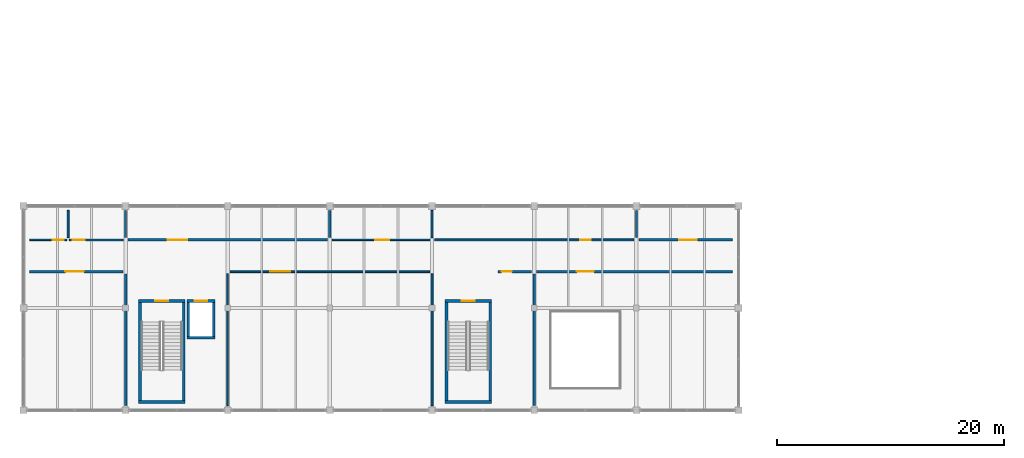
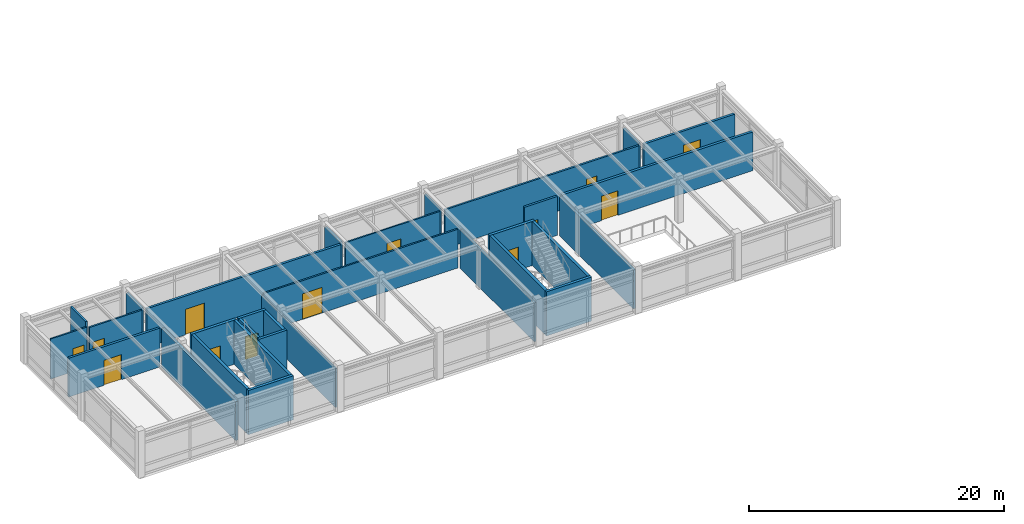
# One storey, part 27 of 33: 31 walls, 13 doors, 13 openings.
"""IFC4 building model written with IfcOpenShell, lengths in metres."""

from ifc_helpers import new_model, si_unit, direction, frame, frame_2d, origin, place, context, subcontext, project, spatial, rectangle, extrude, material, layer, layer_set, type_object, element, fill, save


model = new_model("IFC4")

# Units and contexts
model_context = context("Model", 3, precision=1e-05, world=origin(), true_north=direction((0.0, 1.0)))
body_context = subcontext(model_context, "Body", "Model", "MODEL_VIEW")
ifc_project = project(units=[si_unit("LENGTHUNIT", "METRE"), si_unit("AREAUNIT", "SQUARE_METRE"), si_unit("VOLUMEUNIT", "CUBIC_METRE"), si_unit("PLANEANGLEUNIT", "RADIAN"), si_unit("MASSUNIT", "GRAM", prefix="KILO")], contexts=[model_context])

# Site, building, storey
site_placement = place(None, origin())
site = spatial("IfcSite", under=ifc_project, at=site_placement, CompositionType="ELEMENT")
building_placement = place(site_placement, origin())
building = spatial("IfcBuilding", under=site, at=building_placement, Name="Bozkorgan Art Gallery", CompositionType="ELEMENT")
storey_placement = place(building_placement, frame((0.0, 0.0, 19.5)))
storey = spatial("IfcBuildingStorey", under=building, at=storey_placement, Name="L04", CompositionType="ELEMENT", Elevation=19.5)

# Wall, opening, door
ifc_material_1 = material(Name="Concrete C40/50", Category="concrete")
ifc_layer_1 = layer(ifc_material_1, 0.25, Name="Concrete C40/50")
ifc_layer_set_1 = layer_set([ifc_layer_1], Name="Concrete C40/50")
wall_type_1 = type_object("IfcWallType", Name="IWALL-CW-51", PredefinedType="SHEAR", material=ifc_layer_set_1)
wall_1_placement = place(storey_placement, frame((12.14990234375, 11.625, 0.0), z_axis=(0.0, 0.0, 1.0), x_axis=(1.0, 0.0, 0.0)))
wall_1 = element("IfcWall", 1, at=wall_1_placement, inside=storey, type_object=wall_type_1, Name="CORE1 L04 stair core north shear wall", PredefinedType="SHEAR", context=body_context, shape_type="SweptSolid", body=[
    extrude(rectangle(XDim=4.10009765625, YDim=0.25, at=frame_2d((2.050048828125, 0.0))), origin(), (0.0, 0.0, 1.0), 4.219970703125),
])
opening_1_placement = place(wall_1_placement, frame((2.625, 0.0, 0.0), z_axis=(0.0, 0.0, 1.0), x_axis=(-1.0, 0.0, 0.0)))
opening_1 = element("IfcOpeningElement", 2, at=opening_1_placement, cuts=wall_1, Name="Opening SD-41", PredefinedType="OPENING", context=body_context, shape_type="SweptSolid", body=[
    extrude(rectangle(XDim=1.14990234375, YDim=2.199951171875, at=frame_2d((0.574951171875, 1.10009765625))), frame((0.0, 0.135009765625, 0.0), z_axis=(0.0, -1.0, 0.0), x_axis=(1.0, 0.0, 0.0)), (0.0, 0.0, 1.0), 0.27001953125),
])
ifc_material_2 = material(Name="Steel S355J2", Category="steel")
door_type_1 = type_object("IfcDoorType", Name="IDOOR-SD-41", OperationType="NOTDEFINED", PredefinedType="DOOR", material=ifc_material_2)
door_1_placement = place(opening_1_placement, origin())
door_1 = element("IfcDoor", 3, at=door_1_placement, inside=storey, type_object=door_type_1, Name="ST1 L04 Fire Stair Door", OperationType="SINGLE_SWING_LEFT", OverallHeight=2.199951171875, OverallWidth=1.14990234375, PredefinedType="DOOR", context=body_context, shape_type="SweptSolid", body=[
    extrude(rectangle(XDim=1.14990234375, YDim=2.199951171875, at=frame_2d((0.574951171875, 1.10009765625))), frame((0.0, 0.02490234375, 0.0), z_axis=(0.0, -1.0, 0.0), x_axis=(1.0, 0.0, 0.0)), (0.0, 0.0, 1.0), 0.050048828125),
])
fill(opening_1, door_1)

# Walls
wall_2_placement = place(storey_placement, frame((12.14990234375, 2.72509765625, 0.0), z_axis=(0.0, 0.0, 1.0), x_axis=(1.0, 0.0, 0.0)))
element("IfcWall", 4, at=wall_2_placement, inside=storey, type_object=wall_type_1, Name="CORE1 L04 stair core S shear wall", PredefinedType="SHEAR", context=body_context, shape_type="SweptSolid", body=[
    extrude(rectangle(XDim=4.10009765625, YDim=0.25, at=frame_2d((2.050048828125, 0.0))), origin(), (0.0, 0.0, 1.0), 4.219970703125),
])
for number, where, z_axis, x_axis, name in (
    (5, (12.27490234375, 2.85009765625, 0.0), (0.0, 0.0, 1.0), (0.0, 1.0, 0.0), "CORE1 L04 stair core W shear wall"),
    (6, (16.125, 2.85009765625, 0.0), (0.0, 0.0, 1.0), (0.0, 1.0, 0.0), "CORE1 L04 stair core E shear wall"),
):
    element("IfcWall", number, at=place(storey_placement, frame(where, z_axis=z_axis, x_axis=x_axis)), inside=storey, type_object=wall_type_1, Name=name, PredefinedType="SHEAR", context=body_context, shape_type="SweptSolid", body=[
        extrude(rectangle(XDim=8.64990234375, YDim=0.25, at=frame_2d((4.324951171875, 0.0))), origin(), (0.0, 0.0, 1.0), 4.219970703125),
    ])

# Wall, opening, door
wall_3_placement = place(storey_placement, frame((16.39990234375, 11.625, 0.0), z_axis=(0.0, 0.0, 1.0), x_axis=(1.0, 0.0, 0.0)))
wall_3 = element("IfcWall", 7, at=wall_3_placement, inside=storey, type_object=wall_type_1, Name="PL1 L04 shaft front shear wall", PredefinedType="SHEAR", context=body_context, shape_type="SweptSolid", body=[
    extrude(rectangle(XDim=2.5, YDim=0.25, at=frame_2d((1.25, 0.0))), origin(), (0.0, 0.0, 1.0), 4.219970703125),
])
opening_2_placement = place(wall_3_placement, frame((0.699951171875, 0.0, 0.0)))
opening_2 = element("IfcOpeningElement", 8, at=opening_2_placement, cuts=wall_3, Name="Opening LD-25", PredefinedType="OPENING", context=body_context, shape_type="SweptSolid", body=[
    extrude(rectangle(XDim=1.10009765625, YDim=2.199951171875, at=frame_2d((0.550048828125, 1.10009765625))), frame((0.0, 0.135009765625, 0.0), z_axis=(0.0, -1.0, 0.0), x_axis=(1.0, 0.0, 0.0)), (0.0, 0.0, 1.0), 0.27001953125),
])
door_type_2 = type_object("IfcDoorType", Name="IDOOR-LD-25", OperationType="NOTDEFINED", PredefinedType="DOOR", material=ifc_material_2)
door_2_placement = place(opening_2_placement, origin())
door_2 = element("IfcDoor", 9, at=door_2_placement, inside=storey, type_object=door_type_2, Name="LD-PL1-L04 Lift Landing Door", OperationType="SLIDING_TO_LEFT", OverallHeight=2.199951171875, OverallWidth=1.10009765625, PredefinedType="DOOR", context=body_context, shape_type="SweptSolid", body=[
    extrude(rectangle(XDim=1.10009765625, YDim=2.199951171875, at=frame_2d((0.550048828125, 1.10009765625))), frame((0.0, 0.02490234375, 0.0), z_axis=(0.0, -1.0, 0.0), x_axis=(1.0, 0.0, 0.0)), (0.0, 0.0, 1.0), 0.050048828125),
])
fill(opening_2, door_2)

# Walls
wall_4_placement = place(storey_placement, frame((16.39990234375, 8.375, 0.0), z_axis=(0.0, 0.0, 1.0), x_axis=(1.0, 0.0, 0.0)))
element("IfcWall", 10, at=wall_4_placement, inside=storey, type_object=wall_type_1, Name="PL1 L04 shaft S shear wall", PredefinedType="SHEAR", context=body_context, shape_type="SweptSolid", body=[
    extrude(rectangle(XDim=2.5, YDim=0.25, at=frame_2d((1.25, 0.0))), origin(), (0.0, 0.0, 1.0), 4.219970703125),
])
for number, where, z_axis, x_axis, name in (
    (11, (18.77490234375, 8.5, 0.0), (0.0, 0.0, 1.0), (0.0, 1.0, 0.0), "PL1 L04 shaft E shear wall"),
    (12, (16.52490234375, 8.5, 0.0), (0.0, 0.0, 1.0), (0.0, 1.0, 0.0), "PL1 L04 shaft W shear wall"),
):
    element("IfcWall", number, at=place(storey_placement, frame(where, z_axis=z_axis, x_axis=x_axis)), inside=storey, type_object=wall_type_1, Name=name, PredefinedType="SHEAR", context=body_context, shape_type="SweptSolid", body=[
        extrude(rectangle(XDim=3.0, YDim=0.25, at=frame_2d((1.5, 0.0))), origin(), (0.0, 0.0, 1.0), 4.219970703125),
    ])

# Wall, opening, door
wall_5_placement = place(storey_placement, frame((39.14990234375, 11.625, 0.0), z_axis=(0.0, 0.0, 1.0), x_axis=(1.0, 0.0, 0.0)))
wall_5 = element("IfcWall", 13, at=wall_5_placement, inside=storey, type_object=wall_type_1, Name="CORE7 L04 stair core north shear wall", PredefinedType="SHEAR", context=body_context, shape_type="SweptSolid", body=[
    extrude(rectangle(XDim=4.10009765625, YDim=0.25, at=frame_2d((2.050048828125, 0.0))), origin(), (0.0, 0.0, 1.0), 4.219970703125),
])
opening_3_placement = place(wall_5_placement, frame((2.625, 0.0, 0.0), z_axis=(0.0, 0.0, 1.0), x_axis=(-1.0, 0.0, 0.0)))
opening_3 = element("IfcOpeningElement", 14, at=opening_3_placement, cuts=wall_5, Name="Opening SD-41", PredefinedType="OPENING", context=body_context, shape_type="SweptSolid", body=[
    extrude(rectangle(XDim=1.14990234375, YDim=2.199951171875, at=frame_2d((0.574951171875, 1.10009765625))), frame((0.0, 0.135009765625, 0.0), z_axis=(0.0, -1.0, 0.0), x_axis=(1.0, 0.0, 0.0)), (0.0, 0.0, 1.0), 0.27001953125),
])
door_3_placement = place(opening_3_placement, origin())
door_3 = element("IfcDoor", 15, at=door_3_placement, inside=storey, type_object=door_type_1, Name="ST12 L04 Fire Stair Door", OperationType="SINGLE_SWING_LEFT", OverallHeight=2.199951171875, OverallWidth=1.14990234375, PredefinedType="DOOR", context=body_context, shape_type="SweptSolid", body=[
    extrude(rectangle(XDim=1.14990234375, YDim=2.199951171875, at=frame_2d((0.574951171875, 1.10009765625))), frame((0.0, 0.02490234375, 0.0), z_axis=(0.0, -1.0, 0.0), x_axis=(1.0, 0.0, 0.0)), (0.0, 0.0, 1.0), 0.050048828125),
])
fill(opening_3, door_3)

# Walls
wall_6_placement = place(storey_placement, frame((39.14990234375, 2.72509765625, 0.0), z_axis=(0.0, 0.0, 1.0), x_axis=(1.0, 0.0, 0.0)))
element("IfcWall", 16, at=wall_6_placement, inside=storey, type_object=wall_type_1, Name="CORE7 L04 stair core S shear wall", PredefinedType="SHEAR", context=body_context, shape_type="SweptSolid", body=[
    extrude(rectangle(XDim=4.10009765625, YDim=0.25, at=frame_2d((2.050048828125, 0.0))), origin(), (0.0, 0.0, 1.0), 4.219970703125),
])
for number, where, z_axis, x_axis, name in (
    (17, (39.27490234375, 2.85009765625, 0.0), (0.0, 0.0, 1.0), (0.0, 1.0, 0.0), "CORE7 L04 stair core W shear wall"),
    (18, (43.125, 2.85009765625, 0.0), (0.0, 0.0, 1.0), (0.0, 1.0, 0.0), "CORE7 L04 stair core E shear wall"),
):
    element("IfcWall", number, at=place(storey_placement, frame(where, z_axis=z_axis, x_axis=x_axis)), inside=storey, type_object=wall_type_1, Name=name, PredefinedType="SHEAR", context=body_context, shape_type="SweptSolid", body=[
        extrude(rectangle(XDim=8.64990234375, YDim=0.25, at=frame_2d((4.324951171875, 0.0))), origin(), (0.0, 0.0, 1.0), 4.219970703125),
    ])

# Wall, opening, door
ifc_material_3 = material(Name="Acoustic Gypsum & Mineral Wool Partition")
ifc_layer_2 = layer(ifc_material_3, 0.22998046875, Name="Acoustic Gypsum & Mineral Wool Partition")
ifc_layer_set_2 = layer_set([ifc_layer_2], Name="Acoustic Gypsum & Mineral Wool Partition")
wall_type_2 = type_object("IfcWallType", Name="IWALL-PR-08", PredefinedType="PARTITIONING", material=ifc_layer_set_2)
wall_7_placement = place(storey_placement, frame((47.219970703125, 14.199951171875, 0.0), z_axis=(0.0, 0.0, 1.0), x_axis=(1.0, 0.0, 0.0)))
wall_7 = element("IfcWall", 19, at=wall_7_placement, inside=storey, type_object=wall_type_2, Name="V1 L04 acoustic partition wall 101", PredefinedType="PARTITIONING", context=body_context, shape_type="SweptSolid", body=[
    extrude(rectangle(XDim=17.239990234375, YDim=0.22998046875, at=frame_2d((8.6201171875, 0.0))), origin(), (0.0, 0.0, 1.0), 3.715087890625),
])
opening_4_placement = place(wall_7_placement, frame((3.52978515625, 0.0, 0.0)))
opening_4 = element("IfcOpeningElement", 20, at=opening_4_placement, cuts=wall_7, Name="Opening GD-06", PredefinedType="OPENING", context=body_context, shape_type="SweptSolid", body=[
    extrude(rectangle(XDim=1.5, YDim=2.35009765625, at=frame_2d((0.75, 1.175048828125))), frame((0.0, 0.125, 0.0), z_axis=(0.0, -1.0, 0.0), x_axis=(1.0, 0.0, 0.0)), (0.0, 0.0, 1.0), 0.25),
])
ifc_material_4 = material(Name="Oiled European Oak Joinery")
door_type_3 = type_object("IfcDoorType", Name="IDOOR-GD-06", OperationType="NOTDEFINED", PredefinedType="DOOR", material=ifc_material_4)
door_4_placement = place(opening_4_placement, origin())
door_4 = element("IfcDoor", 21, at=door_4_placement, inside=storey, type_object=door_type_3, Name="VIP Sculpture Reception Hall Door", OperationType="DOUBLE_DOOR_SINGLE_SWING", OverallHeight=2.35009765625, OverallWidth=1.5, PredefinedType="DOOR", context=body_context, shape_type="SweptSolid", body=[
    extrude(rectangle(XDim=1.5, YDim=2.35009765625, at=frame_2d((0.75, 1.175048828125))), frame((0.0, 0.02490234375, 0.0), z_axis=(0.0, -1.0, 0.0), x_axis=(1.0, 0.0, 0.0)), (0.0, 0.0, 1.0), 0.050048828125),
])
fill(opening_4, door_4)

ifc_layer_3 = layer(ifc_material_3, 0.2099609375, Name="Acoustic Gypsum & Mineral Wool Partition")
ifc_layer_set_3 = layer_set([ifc_layer_3], Name="Acoustic Gypsum & Mineral Wool Partition")
wall_type_3 = type_object("IfcWallType", Name="IWALL-PR-38", PredefinedType="PARTITIONING", material=ifc_layer_set_3)
wall_8_placement = place(storey_placement, frame((2.5400390625, 14.199951171875, 0.0), z_axis=(0.0, 0.0, 1.0), x_axis=(1.0, 0.0, 0.0)))
wall_8 = element("IfcWall", 22, at=wall_8_placement, inside=storey, type_object=wall_type_3, Name="V1 L04 acoustic partition wall 94", PredefinedType="PARTITIONING", context=body_context, shape_type="SweptSolid", body=[
    extrude(rectangle(XDim=8.239990234375, YDim=0.2099609375, at=frame_2d((4.1201171875, 0.0))), origin(), (0.0, 0.0, 1.0), 3.715087890625),
])
opening_5_placement = place(wall_8_placement, frame((3.165283203125, 0.0, 0.0)))
opening_5 = element("IfcOpeningElement", 23, at=opening_5_placement, cuts=wall_8, Name="Opening GD-81", PredefinedType="OPENING", context=body_context, shape_type="SweptSolid", body=[
    extrude(rectangle(XDim=1.6201171875, YDim=2.39990234375, at=frame_2d((0.81005859375, 1.199951171875))), frame((0.0, 0.114990234375, 0.0), z_axis=(0.0, -1.0, 0.0), x_axis=(1.0, 0.0, 0.0)), (0.0, 0.0, 1.0), 0.22998046875),
])
door_type_4 = type_object("IfcDoorType", Name="IDOOR-GD-81", OperationType="NOTDEFINED", PredefinedType="DOOR", material=ifc_material_4)
door_5_placement = place(opening_5_placement, origin())
door_5 = element("IfcDoor", 24, at=door_5_placement, inside=storey, type_object=door_type_4, Name="Eurasian Masterworks Gallery Door", OperationType="DOUBLE_DOOR_SINGLE_SWING", OverallHeight=2.39990234375, OverallWidth=1.6201171875, PredefinedType="DOOR", context=body_context, shape_type="SweptSolid", body=[
    extrude(rectangle(XDim=1.6201171875, YDim=2.39990234375, at=frame_2d((0.81005859375, 1.199951171875))), frame((0.0, 0.02490234375, 0.0), z_axis=(0.0, -1.0, 0.0), x_axis=(1.0, 0.0, 0.0)), (0.0, 0.0, 1.0), 0.050048828125),
])
fill(opening_5, door_5)

wall_9_placement = place(storey_placement, frame((11.219970703125, 17.0, 0.0), z_axis=(0.0, 0.0, 1.0), x_axis=(1.0, 0.0, 0.0)))
wall_9 = element("IfcWall", 25, at=wall_9_placement, inside=storey, type_object=wall_type_3, Name="V1 L04 acoustic partition wall 106", PredefinedType="PARTITIONING", context=body_context, shape_type="SweptSolid", body=[
    extrude(rectangle(XDim=17.56005859375, YDim=0.2099609375, at=frame_2d((8.780029296875, 0.0))), origin(), (0.0, 0.0, 1.0), 3.715087890625),
])
opening_6_placement = place(wall_9_placement, frame((5.21240234375, 0.0, 0.0), z_axis=(0.0, 0.0, 1.0), x_axis=(-1.0, 0.0, 0.0)))
opening_6 = element("IfcOpeningElement", 26, at=opening_6_placement, cuts=wall_9, Name="Opening GD-55", PredefinedType="OPENING", context=body_context, shape_type="SweptSolid", body=[
    extrude(rectangle(XDim=1.699951171875, YDim=2.43994140625, at=frame_2d((0.85009765625, 1.219970703125))), frame((0.0, 0.114990234375, 0.0), z_axis=(0.0, -1.0, 0.0), x_axis=(1.0, 0.0, 0.0)), (0.0, 0.0, 1.0), 0.22998046875),
])
door_type_5 = type_object("IfcDoorType", Name="IDOOR-GD-55", OperationType="NOTDEFINED", PredefinedType="DOOR", material=ifc_material_4)
door_6_placement = place(opening_6_placement, origin())
door_6 = element("IfcDoor", 27, at=door_6_placement, inside=storey, type_object=door_type_5, Name="Curatorial Study Gallery Door", OperationType="DOUBLE_DOOR_SINGLE_SWING", OverallHeight=2.43994140625, OverallWidth=1.699951171875, PredefinedType="DOOR", context=body_context, shape_type="SweptSolid", body=[
    extrude(rectangle(XDim=1.699951171875, YDim=2.43994140625, at=frame_2d((0.85009765625, 1.219970703125))), frame((0.0, 0.02490234375, 0.0), z_axis=(0.0, -1.0, 0.0), x_axis=(1.0, 0.0, 0.0)), (0.0, 0.0, 1.0), 0.050048828125),
])
fill(opening_6, door_6)

wall_10_placement = place(storey_placement, frame((56.219970703125, 17.0, 0.0), z_axis=(0.0, 0.0, 1.0), x_axis=(1.0, 0.0, 0.0)))
wall_10 = element("IfcWall", 28, at=wall_10_placement, inside=storey, type_object=wall_type_3, Name="V1 L04 acoustic partition wall 112", PredefinedType="PARTITIONING", context=body_context, shape_type="SweptSolid", body=[
    extrude(rectangle(XDim=8.239990234375, YDim=0.2099609375, at=frame_2d((4.1201171875, 0.0))), origin(), (0.0, 0.0, 1.0), 3.715087890625),
])
opening_7_placement = place(wall_10_placement, frame((5.11474609375, 0.0, 0.0), z_axis=(0.0, 0.0, 1.0), x_axis=(-1.0, 0.0, 0.0)))
opening_7 = element("IfcOpeningElement", 29, at=opening_7_placement, cuts=wall_10, Name="Opening GD-82", PredefinedType="OPENING", context=body_context, shape_type="SweptSolid", body=[
    extrude(rectangle(XDim=1.5400390625, YDim=2.360107421875, at=frame_2d((0.77001953125, 1.18017578125))), frame((0.0, 0.114990234375, 0.0), z_axis=(0.0, -1.0, 0.0), x_axis=(1.0, 0.0, 0.0)), (0.0, 0.0, 1.0), 0.22998046875),
])
door_type_6 = type_object("IfcDoorType", Name="IDOOR-GD-82", OperationType="NOTDEFINED", PredefinedType="DOOR", material=ifc_material_4)
door_7_placement = place(opening_7_placement, origin())
door_7 = element("IfcDoor", 30, at=door_7_placement, inside=storey, type_object=door_type_6, Name="Eurasian Masterworks Gallery Door", OperationType="DOUBLE_DOOR_SINGLE_SWING", OverallHeight=2.360107421875, OverallWidth=1.5400390625, PredefinedType="DOOR", context=body_context, shape_type="SweptSolid", body=[
    extrude(rectangle(XDim=1.5400390625, YDim=2.360107421875, at=frame_2d((0.77001953125, 1.18017578125))), frame((0.0, 0.02490234375, 0.0), z_axis=(0.0, -1.0, 0.0), x_axis=(1.0, 0.0, 0.0)), (0.0, 0.0, 1.0), 0.050048828125),
])
fill(opening_7, door_7)

ifc_layer_4 = layer(ifc_material_3, 0.169921875, Name="Acoustic Gypsum & Mineral Wool Partition")
ifc_layer_set_4 = layer_set([ifc_layer_4], Name="Acoustic Gypsum & Mineral Wool Partition")
wall_type_4 = type_object("IfcWallType", Name="IWALL-PR-40", PredefinedType="PARTITIONING", material=ifc_layer_set_4)
wall_11_placement = place(storey_placement, frame((38.219970703125, 17.0, 0.0), z_axis=(0.0, 0.0, 1.0), x_axis=(1.0, 0.0, 0.0)))
wall_11 = element("IfcWall", 31, at=wall_11_placement, inside=storey, type_object=wall_type_4, Name="V1 L04 acoustic partition wall 110", PredefinedType="PARTITIONING", context=body_context, shape_type="SweptSolid", body=[
    extrude(rectangle(XDim=17.56005859375, YDim=0.169921875, at=frame_2d((8.780029296875, 0.0))), origin(), (0.0, 0.0, 1.0), 3.715087890625),
])
opening_8_placement = place(wall_11_placement, frame((13.775634765625, 0.0, 0.0), z_axis=(0.0, 0.0, 1.0), x_axis=(-1.0, 0.0, 0.0)))
opening_8 = element("IfcOpeningElement", 32, at=opening_8_placement, cuts=wall_11, Name="Opening FD-92", PredefinedType="OPENING", context=body_context, shape_type="SweptSolid", body=[
    extrude(rectangle(XDim=0.949951171875, YDim=2.14990234375, at=frame_2d((0.47509765625, 1.074951171875))), frame((0.0, 0.094970703125, 0.0), z_axis=(0.0, -1.0, 0.0), x_axis=(1.0, 0.0, 0.0)), (0.0, 0.0, 1.0), 0.18994140625),
])
door_type_7 = type_object("IfcDoorType", Name="IDOOR-FD-92", OperationType="NOTDEFINED", PredefinedType="DOOR", material=ifc_material_4)
door_8_placement = place(opening_8_placement, origin())
door_8 = element("IfcDoor", 33, at=door_8_placement, inside=storey, type_object=door_type_7, Name="Visitor Cloakroom Door", OperationType="SINGLE_SWING_RIGHT", OverallHeight=2.14990234375, OverallWidth=0.949951171875, PredefinedType="DOOR", context=body_context, shape_type="SweptSolid", body=[
    extrude(rectangle(XDim=0.949951171875, YDim=2.14990234375, at=frame_2d((0.47509765625, 1.074951171875))), frame((0.0, 0.02490234375, 0.0), z_axis=(0.0, -1.0, 0.0), x_axis=(1.0, 0.0, 0.0)), (0.0, 0.0, 1.0), 0.050048828125),
])
fill(opening_8, door_8)

ifc_layer_5 = layer(ifc_material_3, 0.14990234375, Name="Acoustic Gypsum & Mineral Wool Partition")
ifc_layer_set_5 = layer_set([ifc_layer_5], Name="Acoustic Gypsum & Mineral Wool Partition")
wall_type_5 = type_object("IfcWallType", Name="IWALL-PR-55", PredefinedType="PARTITIONING", material=ifc_layer_set_5)
wall_12_placement = place(storey_placement, frame((20.219970703125, 14.199951171875, 0.0), z_axis=(0.0, 0.0, 1.0), x_axis=(1.0, 0.0, 0.0)))
wall_12 = element("IfcWall", 34, at=wall_12_placement, inside=storey, type_object=wall_type_5, Name="V1 L04 acoustic partition wall 97", PredefinedType="PARTITIONING", context=body_context, shape_type="SweptSolid", body=[
    extrude(rectangle(XDim=17.56005859375, YDim=0.14990234375, at=frame_2d((8.780029296875, 0.0))), origin(), (0.0, 0.0, 1.0), 3.715087890625),
])
opening_9_placement = place(wall_12_placement, frame((3.512451171875, 0.0, 0.0)))
opening_9 = element("IfcOpeningElement", 35, at=opening_9_placement, cuts=wall_12, Name="Opening GD-53", PredefinedType="OPENING", context=body_context, shape_type="SweptSolid", body=[
    extrude(rectangle(XDim=1.760009765625, YDim=2.449951171875, at=frame_2d((0.8798828125, 1.22509765625))), frame((0.0, 0.0849609375, 0.0), z_axis=(0.0, -1.0, 0.0), x_axis=(1.0, 0.0, 0.0)), (0.0, 0.0, 1.0), 0.169921875),
])
door_type_8 = type_object("IfcDoorType", Name="IDOOR-GD-53", OperationType="NOTDEFINED", PredefinedType="DOOR", material=ifc_material_4)
door_9_placement = place(opening_9_placement, origin())
door_9 = element("IfcDoor", 36, at=door_9_placement, inside=storey, type_object=door_type_8, Name="Symbolist Painting Gallery Door", OperationType="DOUBLE_DOOR_SINGLE_SWING", OverallHeight=2.449951171875, OverallWidth=1.760009765625, PredefinedType="DOOR", context=body_context, shape_type="SweptSolid", body=[
    extrude(rectangle(XDim=1.760009765625, YDim=2.449951171875, at=frame_2d((0.8798828125, 1.22509765625))), frame((0.0, 0.02490234375, 0.0), z_axis=(0.0, -1.0, 0.0), x_axis=(1.0, 0.0, 0.0)), (0.0, 0.0, 1.0), 0.050048828125),
])
fill(opening_9, door_9)

wall_13_placement = place(storey_placement, frame((6.06005859375, 17.0, 0.0), z_axis=(0.0, 0.0, 1.0), x_axis=(1.0, 0.0, 0.0)))
wall_13 = element("IfcWall", 37, at=wall_13_placement, inside=storey, type_object=wall_type_5, Name="V1 L04 acoustic partition wall 103", PredefinedType="PARTITIONING", context=body_context, shape_type="SweptSolid", body=[
    extrude(rectangle(XDim=4.719970703125, YDim=0.14990234375, at=frame_2d((2.35986328125, 0.0))), origin(), (0.0, 0.0, 1.0), 3.715087890625),
])
opening_10_placement = place(wall_13_placement, frame((1.340087890625, 0.0, 0.0), z_axis=(0.0, 0.0, 1.0), x_axis=(-1.0, 0.0, 0.0)))
opening_10 = element("IfcOpeningElement", 38, at=opening_10_placement, cuts=wall_13, Name="Opening FD-96", PredefinedType="OPENING", context=body_context, shape_type="SweptSolid", body=[
    extrude(rectangle(XDim=1.0400390625, YDim=2.219970703125, at=frame_2d((0.52001953125, 1.10986328125))), frame((0.0, 0.0849609375, 0.0), z_axis=(0.0, -1.0, 0.0), x_axis=(1.0, 0.0, 0.0)), (0.0, 0.0, 1.0), 0.169921875),
])
door_type_9 = type_object("IfcDoorType", Name="IDOOR-FD-96", OperationType="NOTDEFINED", PredefinedType="DOOR", material=ifc_material_4)
door_10_placement = place(opening_10_placement, origin())
door_10 = element("IfcDoor", 39, at=door_10_placement, inside=storey, type_object=door_type_9, Name="Catering Pantry Door", OperationType="SINGLE_SWING_LEFT", OverallHeight=2.219970703125, OverallWidth=1.0400390625, PredefinedType="DOOR", context=body_context, shape_type="SweptSolid", body=[
    extrude(rectangle(XDim=1.0400390625, YDim=2.219970703125, at=frame_2d((0.52001953125, 1.10986328125))), frame((0.0, 0.02490234375, 0.0), z_axis=(0.0, -1.0, 0.0), x_axis=(1.0, 0.0, 0.0)), (0.0, 0.0, 1.0), 0.050048828125),
])
fill(opening_10, door_10)

ifc_layer_6 = layer(ifc_material_3, 0.18994140625, Name="Acoustic Gypsum & Mineral Wool Partition")
ifc_layer_set_6 = layer_set([ifc_layer_6], Name="Acoustic Gypsum & Mineral Wool Partition")
wall_type_6 = type_object("IfcWallType", Name="IWALL-PR-66", PredefinedType="PARTITIONING", material=ifc_layer_set_6)
wall_14_placement = place(storey_placement, frame((43.820068359375, 14.199951171875, 0.0), z_axis=(0.0, 0.0, 1.0), x_axis=(1.0, 0.0, 0.0)))
wall_14 = element("IfcWall", 40, at=wall_14_placement, inside=storey, type_object=wall_type_6, Name="V1 L04 acoustic partition wall 99", PredefinedType="PARTITIONING", context=body_context, shape_type="SweptSolid", body=[
    extrude(rectangle(XDim=2.9599609375, YDim=0.18994140625, at=frame_2d((1.47998046875, 0.0))), origin(), (0.0, 0.0, 1.0), 3.715087890625),
])
opening_11_placement = place(wall_14_placement, frame((0.300048828125, 0.0, 0.0)))
opening_11 = element("IfcOpeningElement", 41, at=opening_11_placement, cuts=wall_14, Name="Opening FD-12", PredefinedType="OPENING", context=body_context, shape_type="SweptSolid", body=[
    extrude(rectangle(XDim=0.919921875, YDim=2.1201171875, at=frame_2d((0.4599609375, 1.06005859375))), frame((0.0, 0.10498046875, 0.0), z_axis=(0.0, -1.0, 0.0), x_axis=(1.0, 0.0, 0.0)), (0.0, 0.0, 1.0), 0.2099609375),
])
door_type_10 = type_object("IfcDoorType", Name="IDOOR-FD-12", OperationType="NOTDEFINED", PredefinedType="DOOR", material=ifc_material_4)
door_11_placement = place(opening_11_placement, origin())
door_11 = element("IfcDoor", 42, at=door_11_placement, inside=storey, type_object=door_type_10, Name="Sculpture Terrace Salon Door", OperationType="SINGLE_SWING_RIGHT", OverallHeight=2.1201171875, OverallWidth=0.919921875, PredefinedType="DOOR", context=body_context, shape_type="SweptSolid", body=[
    extrude(rectangle(XDim=0.919921875, YDim=2.1201171875, at=frame_2d((0.4599609375, 1.06005859375))), frame((0.0, 0.02490234375, 0.0), z_axis=(0.0, -1.0, 0.0), x_axis=(1.0, 0.0, 0.0)), (0.0, 0.0, 1.0), 0.050048828125),
])
fill(opening_11, door_11)

ifc_layer_7 = layer(ifc_material_3, 0.1298828125, Name="Acoustic Gypsum & Mineral Wool Partition")
ifc_layer_set_7 = layer_set([ifc_layer_7], Name="Acoustic Gypsum & Mineral Wool Partition")
wall_type_7 = type_object("IfcWallType", Name="IWALL-PR-76", PredefinedType="PARTITIONING", material=ifc_layer_set_7)
wall_15_placement = place(storey_placement, frame((2.5400390625, 17.0, 0.0), z_axis=(0.0, 0.0, 1.0), x_axis=(1.0, 0.0, 0.0)))
wall_15 = element("IfcWall", 43, at=wall_15_placement, inside=storey, type_object=wall_type_7, Name="V1 L04 acoustic partition wall 102", PredefinedType="PARTITIONING", context=body_context, shape_type="SweptSolid", body=[
    extrude(rectangle(XDim=3.280029296875, YDim=0.1298828125, at=frame_2d((1.64013671875, 0.0))), origin(), (0.0, 0.0, 1.0), 3.8349609375),
])
opening_12_placement = place(wall_15_placement, frame((3.030029296875, 0.0, 0.0), z_axis=(0.0, 0.0, 1.0), x_axis=(-1.0, 0.0, 0.0)))
opening_12 = element("IfcOpeningElement", 44, at=opening_12_placement, cuts=wall_15, Name="Opening FD-60", PredefinedType="OPENING", context=body_context, shape_type="SweptSolid", body=[
    extrude(rectangle(XDim=1.0, YDim=2.199951171875, at=frame_2d((0.5, 1.10009765625))), frame((0.0, 0.074951171875, 0.0), z_axis=(0.0, -1.0, 0.0), x_axis=(1.0, 0.0, 0.0)), (0.0, 0.0, 1.0), 0.14990234375),
])
door_type_11 = type_object("IfcDoorType", Name="IDOOR-FD-60", OperationType="NOTDEFINED", PredefinedType="DOOR", material=ifc_material_4)
door_12_placement = place(opening_12_placement, origin())
door_12 = element("IfcDoor", 45, at=door_12_placement, inside=storey, type_object=door_type_11, Name="Accessible WC Door", OperationType="SINGLE_SWING_RIGHT", OverallHeight=2.199951171875, OverallWidth=1.0, PredefinedType="DOOR", context=body_context, shape_type="SweptSolid", body=[
    extrude(rectangle(XDim=1.0, YDim=2.199951171875, at=frame_2d((0.5, 1.10009765625))), frame((0.0, 0.02490234375, 0.0), z_axis=(0.0, -1.0, 0.0), x_axis=(1.0, 0.0, 0.0)), (0.0, 0.0, 1.0), 0.050048828125),
])
fill(opening_12, door_12)

wall_16_placement = place(storey_placement, frame((29.219970703125, 17.0, 0.0), z_axis=(0.0, 0.0, 1.0), x_axis=(1.0, 0.0, 0.0)))
wall_16 = element("IfcWall", 46, at=wall_16_placement, inside=storey, type_object=wall_type_7, Name="V1 L04 acoustic partition wall 108", PredefinedType="PARTITIONING", context=body_context, shape_type="SweptSolid", body=[
    extrude(rectangle(XDim=8.56005859375, YDim=0.1298828125, at=frame_2d((4.280029296875, 0.0))), origin(), (0.0, 0.0, 1.0), 3.715087890625),
])
opening_13_placement = place(wall_16_placement, frame((5.02001953125, 0.0, 0.0), z_axis=(0.0, 0.0, 1.0), x_axis=(-1.0, 0.0, 0.0)))
opening_13 = element("IfcOpeningElement", 47, at=opening_13_placement, cuts=wall_16, Name="Opening FD-40", PredefinedType="OPENING", context=body_context, shape_type="SweptSolid", body=[
    extrude(rectangle(XDim=1.239990234375, YDim=2.320068359375, at=frame_2d((0.6201171875, 1.16015625))), frame((0.0, 0.074951171875, 0.0), z_axis=(0.0, -1.0, 0.0), x_axis=(1.0, 0.0, 0.0)), (0.0, 0.0, 1.0), 0.14990234375),
])
door_type_12 = type_object("IfcDoorType", Name="IDOOR-FD-40", OperationType="NOTDEFINED", PredefinedType="DOOR", material=ifc_material_4)
door_13_placement = place(opening_13_placement, origin())
door_13 = element("IfcDoor", 48, at=door_13_placement, inside=storey, type_object=door_type_12, Name="Exhibition Catalogue Salon Door", OperationType="SINGLE_SWING_LEFT", OverallHeight=2.320068359375, OverallWidth=1.239990234375, PredefinedType="DOOR", context=body_context, shape_type="SweptSolid", body=[
    extrude(rectangle(XDim=1.239990234375, YDim=2.320068359375, at=frame_2d((0.6201171875, 1.16015625))), frame((0.0, 0.02490234375, 0.0), z_axis=(0.0, -1.0, 0.0), x_axis=(1.0, 0.0, 0.0)), (0.0, 0.0, 1.0), 0.050048828125),
])
fill(opening_13, door_13)

# Walls
ifc_layer_8 = layer(ifc_material_3, 0.169921875, Name="Acoustic Gypsum & Mineral Wool Partition")
ifc_layer_set_8 = layer_set([ifc_layer_8], Name="Acoustic Gypsum & Mineral Wool Partition")
wall_type_8 = type_object("IfcWallType", Name="IWALL-PW-02", PredefinedType="PARTITIONING", material=ifc_layer_set_8)
wall_17_placement = place(storey_placement, frame((38.0, 2.39990234375, 0.0), z_axis=(0.0, 0.0, 1.0), x_axis=(0.0, 1.0, 0.0)))
element("IfcWall", 49, at=wall_17_placement, inside=storey, type_object=wall_type_8, Name="V1 L04 acoustic partition wall 98", PredefinedType="PARTITIONING", context=body_context, shape_type="SweptSolid", body=[
    extrude(rectangle(XDim=11.60009765625, YDim=0.169921875, at=frame_2d((5.800048828125, 0.0))), origin(), (0.0, 0.0, 1.0), 3.715087890625),
])
wall_18_placement = place(storey_placement, frame((5.93994140625, 17.199951171875, 0.0), z_axis=(0.0, 0.0, 1.0), x_axis=(0.0, 1.0, 0.0)))
element("IfcWall", 50, at=wall_18_placement, inside=storey, type_object=wall_type_8, Name="V1 L04 acoustic partition wall 104", PredefinedType="PARTITIONING", context=body_context, shape_type="SweptSolid", body=[
    extrude(rectangle(XDim=2.400146484375, YDim=0.169921875, at=frame_2d((1.2001953125, 0.0))), origin(), (0.0, 0.0, 1.0), 4.179931640625),
])
ifc_layer_9 = layer(ifc_material_3, 0.14990234375, Name="Acoustic Gypsum & Mineral Wool Partition")
ifc_layer_set_9 = layer_set([ifc_layer_9], Name="Acoustic Gypsum & Mineral Wool Partition")
wall_type_9 = type_object("IfcWallType", Name="IWALL-PW-17", PredefinedType="PARTITIONING", material=ifc_layer_set_9)
wall_19_placement = place(storey_placement, frame((38.0, 17.199951171875, 0.0), z_axis=(0.0, 0.0, 1.0), x_axis=(0.0, 1.0, 0.0)))
element("IfcWall", 51, at=wall_19_placement, inside=storey, type_object=wall_type_9, Name="V1 L04 acoustic partition wall 109", PredefinedType="PARTITIONING", context=body_context, shape_type="SweptSolid", body=[
    extrude(rectangle(XDim=2.400146484375, YDim=0.14990234375, at=frame_2d((1.2001953125, 0.0))), origin(), (0.0, 0.0, 1.0), 3.715087890625),
])
ifc_layer_10 = layer(ifc_material_3, 0.18994140625, Name="Acoustic Gypsum & Mineral Wool Partition")
ifc_layer_set_10 = layer_set([ifc_layer_10], Name="Acoustic Gypsum & Mineral Wool Partition")
wall_type_10 = type_object("IfcWallType", Name="IWALL-PW-23", PredefinedType="PARTITIONING", material=ifc_layer_set_10)
for number, where, z_axis, x_axis, name in (
    (52, (11.0, 17.199951171875, 0.0), (0.0, 0.0, 1.0), (0.0, 1.0, 0.0), "V1 L04 acoustic partition wall 105"),
    (53, (56.0, 17.199951171875, 0.0), (0.0, 0.0, 1.0), (0.0, 1.0, 0.0), "V1 L04 acoustic partition wall 111"),
):
    element("IfcWall", number, at=place(storey_placement, frame(where, z_axis=z_axis, x_axis=x_axis)), inside=storey, type_object=wall_type_10, Name=name, PredefinedType="PARTITIONING", context=body_context, shape_type="SweptSolid", body=[
        extrude(rectangle(XDim=2.400146484375, YDim=0.18994140625, at=frame_2d((1.2001953125, 0.0))), origin(), (0.0, 0.0, 1.0), 3.715087890625),
    ])
ifc_layer_11 = layer(ifc_material_3, 0.2099609375, Name="Acoustic Gypsum & Mineral Wool Partition")
ifc_layer_set_11 = layer_set([ifc_layer_11], Name="Acoustic Gypsum & Mineral Wool Partition")
wall_type_11 = type_object("IfcWallType", Name="IWALL-PW-72", PredefinedType="PARTITIONING", material=ifc_layer_set_11)
wall_20_placement = place(storey_placement, frame((47.0, 2.39990234375, 0.0), z_axis=(0.0, 0.0, 1.0), x_axis=(0.0, 1.0, 0.0)))
element("IfcWall", 54, at=wall_20_placement, inside=storey, type_object=wall_type_11, Name="V1 L04 acoustic partition wall 100", PredefinedType="PARTITIONING", context=body_context, shape_type="SweptSolid", body=[
    extrude(rectangle(XDim=11.60009765625, YDim=0.2099609375, at=frame_2d((5.800048828125, 0.0))), origin(), (0.0, 0.0, 1.0), 3.715087890625),
])
ifc_layer_12 = layer(ifc_material_3, 0.22998046875, Name="Acoustic Gypsum & Mineral Wool Partition")
ifc_layer_set_12 = layer_set([ifc_layer_12], Name="Acoustic Gypsum & Mineral Wool Partition")
wall_type_12 = type_object("IfcWallType", Name="IWALL-PW-96", PredefinedType="PARTITIONING", material=ifc_layer_set_12)
wall_21_placement = place(storey_placement, frame((11.0, 2.39990234375, 0.0), z_axis=(0.0, 0.0, 1.0), x_axis=(0.0, 1.0, 0.0)))
element("IfcWall", 55, at=wall_21_placement, inside=storey, type_object=wall_type_12, Name="V1 L04 acoustic partition wall 95", PredefinedType="PARTITIONING", context=body_context, shape_type="SweptSolid", body=[
    extrude(rectangle(XDim=11.60009765625, YDim=0.22998046875, at=frame_2d((5.800048828125, 0.0))), origin(), (0.0, 0.0, 1.0), 3.715087890625),
])
wall_22_placement = place(storey_placement, frame((29.0, 17.199951171875, 0.0), z_axis=(0.0, 0.0, 1.0), x_axis=(0.0, 1.0, 0.0)))
element("IfcWall", 56, at=wall_22_placement, inside=storey, type_object=wall_type_12, Name="V1 L04 acoustic partition wall 107", PredefinedType="PARTITIONING", context=body_context, shape_type="SweptSolid", body=[
    extrude(rectangle(XDim=2.400146484375, YDim=0.22998046875, at=frame_2d((1.2001953125, 0.0))), origin(), (0.0, 0.0, 1.0), 3.715087890625),
])
ifc_layer_13 = layer(ifc_material_3, 0.1298828125, Name="Acoustic Gypsum & Mineral Wool Partition")
ifc_layer_set_13 = layer_set([ifc_layer_13], Name="Acoustic Gypsum & Mineral Wool Partition")
wall_type_13 = type_object("IfcWallType", Name="IWALL-PW-97", PredefinedType="PARTITIONING", material=ifc_layer_set_13)
wall_23_placement = place(storey_placement, frame((20.0, 2.39990234375, 0.0), z_axis=(0.0, 0.0, 1.0), x_axis=(0.0, 1.0, 0.0)))
element("IfcWall", 57, at=wall_23_placement, inside=storey, type_object=wall_type_13, Name="V1 L04 acoustic partition wall 96", PredefinedType="PARTITIONING", context=body_context, shape_type="SweptSolid", body=[
    extrude(rectangle(XDim=11.60009765625, YDim=0.1298828125, at=frame_2d((5.800048828125, 0.0))), origin(), (0.0, 0.0, 1.0), 3.715087890625),
])

save(model, "model.ifc")
